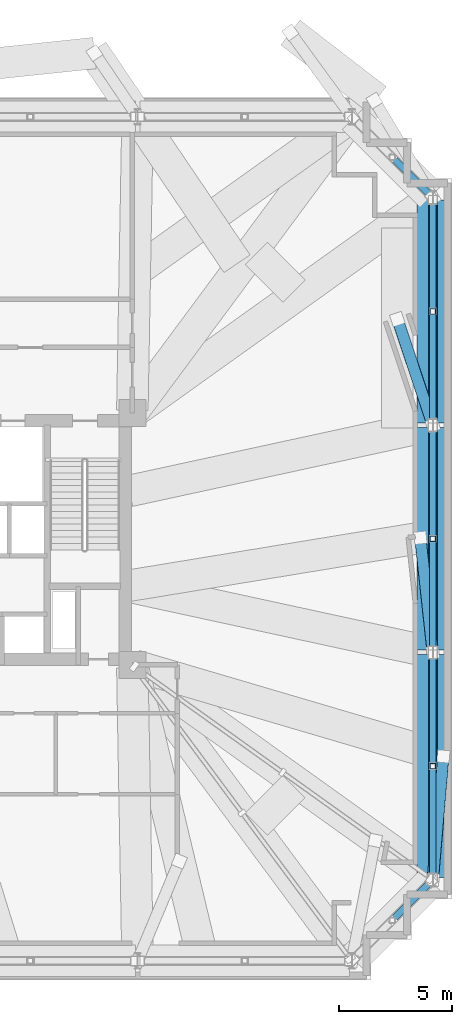
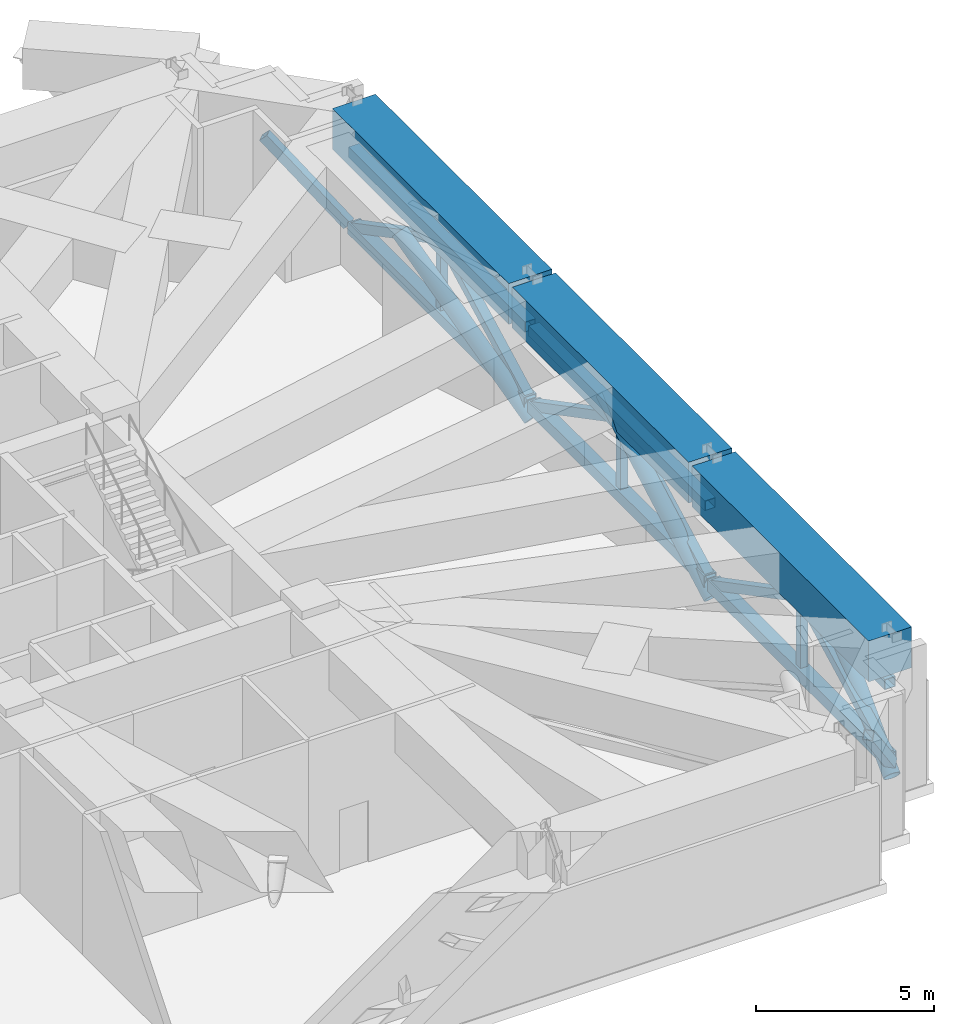
# One storey, part 11 of 20: 20 members, 3 beams.
"""IFC4 building model written with IfcOpenShell, lengths in metres."""

from ifc_helpers import new_model, si_unit, direction, frame, origin, origin_2d, place, context, subcontext, project, spatial, rectangle, hollow_rectangle, hollow_circle, extrude, material, material_profile, profile_set, type_object, element, save


model = new_model("IFC4")

# Units and contexts
model_context = context("Model", 3, precision=1e-05, world=origin(), true_north=direction((0.0, 1.0)))
body_context = subcontext(model_context, "Body", "Model", "MODEL_VIEW")
ifc_project = project(units=[si_unit("LENGTHUNIT", "METRE"), si_unit("AREAUNIT", "SQUARE_METRE"), si_unit("VOLUMEUNIT", "CUBIC_METRE"), si_unit("PLANEANGLEUNIT", "RADIAN"), si_unit("MASSUNIT", "GRAM", prefix="KILO")], contexts=[model_context])

# Site, building, storey
site_placement = place(None, origin())
site = spatial("IfcSite", under=ifc_project, at=site_placement, CompositionType="ELEMENT")
building_placement = place(site_placement, origin())
building = spatial("IfcBuilding", under=site, at=building_placement, Name="Qobustan Lattice House", CompositionType="ELEMENT")
storey_placement = place(building_placement, frame((0.0, 0.0, 73.89990234375)))
storey = spatial("IfcBuildingStorey", under=building, at=storey_placement, Name="L20", CompositionType="ELEMENT", Elevation=73.89990234375)

# Beams
ifc_material_1 = material(Name="Concrete C60/75", Category="concrete")
ifc_material_profile_1 = material_profile(ifc_material_1, rectangle(XDim=1.39990234375, YDim=1.39990234375, at=origin_2d()), Name="RC1400x1400")
ifc_profile_set_1 = profile_set([ifc_material_profile_1], Name="Concrete C60/75")
beam_type = type_object("IfcBeamType", Name="BM-TRG-RC1400", PredefinedType="USERDEFINED", material=ifc_profile_set_1)
beam_1_placement = place(storey_placement, frame((32.14990234375, -15.050048828125, 4.1201171875), z_axis=(0.0, 1.0, 0.0), x_axis=(-1.0, 0.0, 0.0)))
element("IfcBeam", 1, at=beam_1_placement, inside=storey, type_object=beam_type, Name="L20 TT1 lower perimeter transfer girder E1-E2", ObjectType="GIRDER", PredefinedType="USERDEFINED", context=body_context, shape_type="SweptSolid", body=[
    extrude(rectangle(XDim=1.39990234375, YDim=1.39990234375, at=origin_2d()), origin(), (0.0, 0.0, 1.0), 9.900146484375),
])
beam_2_placement = place(storey_placement, frame((32.14990234375, -4.949951171875, 4.1201171875), z_axis=(0.0, 1.0, 0.0), x_axis=(-1.0, 0.0, 0.0)))
element("IfcBeam", 2, at=beam_2_placement, inside=storey, type_object=beam_type, Name="L20 TT1 lower perimeter transfer girder E2-E3", ObjectType="GIRDER", PredefinedType="USERDEFINED", context=body_context, shape_type="SweptSolid", body=[
    extrude(rectangle(XDim=1.39990234375, YDim=1.39990234375, at=origin_2d()), origin(), (0.0, 0.0, 1.0), 9.89990234375),
])
beam_3_placement = place(storey_placement, frame((32.14990234375, 5.14990234375, 4.1201171875), z_axis=(0.0, 1.0, 0.0), x_axis=(-1.0, 0.0, 0.0)))
element("IfcBeam", 3, at=beam_3_placement, inside=storey, type_object=beam_type, Name="L20 TT1 lower perimeter transfer girder E3-E4", ObjectType="GIRDER", PredefinedType="USERDEFINED", context=body_context, shape_type="SweptSolid", body=[
    extrude(rectangle(XDim=1.39990234375, YDim=1.39990234375, at=origin_2d()), origin(), (0.0, 0.0, 1.0), 9.900146484375),
])

# Members
ifc_material_2 = material(Name="Steel S355", Category="steel")
ifc_material_profile_2 = material_profile(ifc_material_2, hollow_rectangle(XDim=0.300048828125, YDim=0.300048828125, WallThickness=0.01611328125, at=origin_2d()), Name="SHS300x300x16")
ifc_profile_set_2 = profile_set([ifc_material_profile_2], Name="Steel S355")
member_type_1 = type_object("IfcMemberType", Name="MEM-BRC-SHS300", PredefinedType="BRACE", material=ifc_profile_set_2)
member_1_placement = place(storey_placement, frame((30.35009765625, -16.949951171875, 3.14013671875), z_axis=(0.485446057806, 0.485446057806, -0.727106766521), x_axis=(-0.707106781187, 0.707106781187, 0.0)))
element("IfcMember", 4, at=member_1_placement, inside=storey, type_object=member_type_1, Name="L20 TT1 belt truss web diagonal S7-E1 B", PredefinedType="BRACE", context=body_context, shape_type="SweptSolid", body=[
    extrude(hollow_rectangle(XDim=0.300048828125, YDim=0.300048828125, WallThickness=0.01611328125, at=origin_2d()), origin(), (0.0, 0.0, 1.0), 3.562255859375),
])
member_2_placement = place(storey_placement, frame((32.14990234375, -15.050048828125, 0.550048828125), z_axis=(0.0, 0.886033314842, 0.463621575199), x_axis=(-1.0, 0.0, 0.0)))
element("IfcMember", 5, at=member_2_placement, inside=storey, type_object=member_type_1, Name="L20 TT1 belt truss web diagonal E1-E2 A", PredefinedType="BRACE", context=body_context, shape_type="SweptSolid", body=[
    extrude(hollow_rectangle(XDim=0.300048828125, YDim=0.300048828125, WallThickness=0.01611328125, at=origin_2d()), origin(), (0.0, 0.0, 1.0), 5.586669921875),
])
member_3_placement = place(storey_placement, frame((32.14990234375, -10.10009765625, 3.14013671875), z_axis=(0.0, 0.886042707559, -0.463603624211), x_axis=(-1.0, 0.0, 0.0)))
element("IfcMember", 6, at=member_3_placement, inside=storey, type_object=member_type_1, Name="L20 TT1 belt truss web diagonal E1-E2 B", PredefinedType="BRACE", context=body_context, shape_type="SweptSolid", body=[
    extrude(hollow_rectangle(XDim=0.300048828125, YDim=0.300048828125, WallThickness=0.01611328125, at=origin_2d()), origin(), (0.0, 0.0, 1.0), 5.5869140625),
])
for number, where, z_axis, x_axis, name in (
    (7, (32.14990234375, -4.949951171875, 0.550048828125), (0.0, 0.886033314842, 0.463621575199), (-1.0, 0.0, 0.0), "L20 TT1 belt truss web diagonal E2-E3 A"),
    (8, (32.14990234375, 0.0, 3.14013671875), (0.0, 0.886033314842, -0.463621575199), (-1.0, 0.0, 0.0), "L20 TT1 belt truss web diagonal E2-E3 B"),
):
    element("IfcMember", number, at=place(storey_placement, frame(where, z_axis=z_axis, x_axis=x_axis)), inside=storey, type_object=member_type_1, Name=name, PredefinedType="BRACE", context=body_context, shape_type="SweptSolid", body=[
        extrude(hollow_rectangle(XDim=0.300048828125, YDim=0.300048828125, WallThickness=0.01611328125, at=origin_2d()), origin(), (0.0, 0.0, 1.0), 5.586669921875),
    ])
member_4_placement = place(storey_placement, frame((32.14990234375, 5.14990234375, 0.550048828125), z_axis=(0.0, 0.886042707559, 0.463603624211), x_axis=(-1.0, 0.0, 0.0)))
element("IfcMember", 9, at=member_4_placement, inside=storey, type_object=member_type_1, Name="L20 TT1 belt truss web diagonal E3-E4 A", PredefinedType="BRACE", context=body_context, shape_type="SweptSolid", body=[
    extrude(hollow_rectangle(XDim=0.300048828125, YDim=0.300048828125, WallThickness=0.01611328125, at=origin_2d()), origin(), (0.0, 0.0, 1.0), 5.5869140625),
])
member_5_placement = place(storey_placement, frame((32.14990234375, 10.10009765625, 3.14013671875), z_axis=(0.0, 0.886033314842, -0.463621575199), x_axis=(-1.0, 0.0, 0.0)))
element("IfcMember", 10, at=member_5_placement, inside=storey, type_object=member_type_1, Name="L20 TT1 belt truss web diagonal E3-E4 B", PredefinedType="BRACE", context=body_context, shape_type="SweptSolid", body=[
    extrude(hollow_rectangle(XDim=0.300048828125, YDim=0.300048828125, WallThickness=0.01611328125, at=origin_2d()), origin(), (0.0, 0.0, 1.0), 5.586669921875),
])
member_6_placement = place(storey_placement, frame((32.079345703125, 15.220703125, 0.550048828125), z_axis=(-0.485446057806, 0.485446057806, 0.727106766521), x_axis=(-0.707106781187, -0.707106781187, 0.0)))
element("IfcMember", 11, at=member_6_placement, inside=storey, type_object=member_type_1, Name="L20 TT1 belt truss web diagonal E4-N1 A", PredefinedType="BRACE", context=body_context, shape_type="SweptSolid", body=[
    extrude(hollow_rectangle(XDim=0.300048828125, YDim=0.300048828125, WallThickness=0.01611328125, at=origin_2d()), origin(), (0.0, 0.0, 1.0), 3.562255859375),
])
ifc_material_3 = material(Name="Steel S355", Category="steel")
ifc_material_profile_3 = material_profile(ifc_material_3, hollow_rectangle(XDim=0.35009765625, YDim=0.35009765625, WallThickness=0.01611328125, at=origin_2d()), Name="SHS350x350x16")
ifc_profile_set_3 = profile_set([ifc_material_profile_3], Name="Steel S355")
member_type_2 = type_object("IfcMemberType", Name="MEM-CHD-SHS350", PredefinedType="CHORD", material=ifc_profile_set_3)
member_7_placement = place(storey_placement, frame((32.14990234375, -15.050048828125, 3.14013671875), z_axis=(0.0, 1.0, 0.0), x_axis=(-1.0, 0.0, 0.0)))
element("IfcMember", 12, at=member_7_placement, inside=storey, type_object=member_type_2, Name="L20 TT1 belt truss top chord E1-E2", PredefinedType="CHORD", context=body_context, shape_type="SweptSolid", body=[
    extrude(hollow_rectangle(XDim=0.35009765625, YDim=0.35009765625, WallThickness=0.01611328125, at=origin_2d()), origin(), (0.0, 0.0, 1.0), 9.900146484375),
])
member_8_placement = place(storey_placement, frame((32.14990234375, -4.949951171875, 3.14013671875), z_axis=(0.0, 1.0, 0.0), x_axis=(-1.0, 0.0, 0.0)))
element("IfcMember", 13, at=member_8_placement, inside=storey, type_object=member_type_2, Name="L20 TT1 belt truss top chord E2-E3", PredefinedType="CHORD", context=body_context, shape_type="SweptSolid", body=[
    extrude(hollow_rectangle(XDim=0.35009765625, YDim=0.35009765625, WallThickness=0.01611328125, at=origin_2d()), origin(), (0.0, 0.0, 1.0), 9.89990234375),
])
member_9_placement = place(storey_placement, frame((32.14990234375, 5.14990234375, 3.14013671875), z_axis=(0.0, 1.0, 0.0), x_axis=(-1.0, 0.0, 0.0)))
element("IfcMember", 14, at=member_9_placement, inside=storey, type_object=member_type_2, Name="L20 TT1 belt truss top chord E3-E4", PredefinedType="CHORD", context=body_context, shape_type="SweptSolid", body=[
    extrude(hollow_rectangle(XDim=0.35009765625, YDim=0.35009765625, WallThickness=0.01611328125, at=origin_2d()), origin(), (0.0, 0.0, 1.0), 9.900146484375),
])
ifc_material_4 = material(Name="Steel S355", Category="steel")
ifc_material_profile_4 = material_profile(ifc_material_4, hollow_rectangle(XDim=0.39990234375, YDim=0.39990234375, WallThickness=0.02001953125, at=origin_2d()), Name="SHS400x400x20")
ifc_profile_set_4 = profile_set([ifc_material_profile_4], Name="Steel S355")
member_type_3 = type_object("IfcMemberType", Name="MEM-CHD-SHS400", PredefinedType="CHORD", material=ifc_profile_set_4)
member_10_placement = place(storey_placement, frame((32.14990234375, -15.050048828125, 0.550048828125), z_axis=(0.0, 1.0, 0.0), x_axis=(-1.0, 0.0, 0.0)))
element("IfcMember", 15, at=member_10_placement, inside=storey, type_object=member_type_3, Name="L20 TT1 belt truss bottom chord E1-E2", PredefinedType="CHORD", context=body_context, shape_type="SweptSolid", body=[
    extrude(hollow_rectangle(XDim=0.39990234375, YDim=0.39990234375, WallThickness=0.02001953125, at=origin_2d()), origin(), (0.0, 0.0, 1.0), 9.900146484375),
])
member_11_placement = place(storey_placement, frame((32.14990234375, -4.949951171875, 0.550048828125), z_axis=(0.0, 1.0, 0.0), x_axis=(-1.0, 0.0, 0.0)))
element("IfcMember", 16, at=member_11_placement, inside=storey, type_object=member_type_3, Name="L20 TT1 belt truss bottom chord E2-E3", PredefinedType="CHORD", context=body_context, shape_type="SweptSolid", body=[
    extrude(hollow_rectangle(XDim=0.39990234375, YDim=0.39990234375, WallThickness=0.02001953125, at=origin_2d()), origin(), (0.0, 0.0, 1.0), 9.89990234375),
])
member_12_placement = place(storey_placement, frame((32.14990234375, 5.14990234375, 0.550048828125), z_axis=(0.0, 1.0, 0.0), x_axis=(-1.0, 0.0, 0.0)))
element("IfcMember", 17, at=member_12_placement, inside=storey, type_object=member_type_3, Name="L20 TT1 belt truss bottom chord E3-E4", PredefinedType="CHORD", context=body_context, shape_type="SweptSolid", body=[
    extrude(hollow_rectangle(XDim=0.39990234375, YDim=0.39990234375, WallThickness=0.02001953125, at=origin_2d()), origin(), (0.0, 0.0, 1.0), 9.900146484375),
])
ifc_material_5 = material(Name="Steel S355", Category="steel")
ifc_material_profile_5 = material_profile(ifc_material_5, hollow_rectangle(XDim=0.25, YDim=0.25, WallThickness=0.012451171875, at=origin_2d()), Name="SHS250x250x12.5")
ifc_profile_set_5 = profile_set([ifc_material_profile_5], Name="Steel S355")
member_type_4 = type_object("IfcMemberType", Name="MEM-PST-SHS250", PredefinedType="POST", material=ifc_profile_set_5)
for number, where, z_axis, x_axis, name in (
    (18, (32.14990234375, -10.10009765625, 0.550048828125), (0.0, 0.0, 1.0), (1.0, 0.0, 0.0), "L20 TT1 belt truss vertical post E1-E2"),
    (19, (32.14990234375, 0.0, 0.550048828125), (0.0, 0.0, 1.0), (1.0, 0.0, 0.0), "L20 TT1 belt truss vertical post E2-E3"),
    (20, (32.14990234375, 10.10009765625, 0.550048828125), (0.0, 0.0, 1.0), (1.0, 0.0, 0.0), "L20 TT1 belt truss vertical post E3-E4"),
):
    element("IfcMember", number, at=place(storey_placement, frame(where, z_axis=z_axis, x_axis=x_axis)), inside=storey, type_object=member_type_4, Name=name, PredefinedType="POST", context=body_context, shape_type="SweptSolid", body=[
        extrude(hollow_rectangle(XDim=0.25, YDim=0.25, WallThickness=0.012451171875, at=origin_2d()), origin(), (0.0, 0.0, 1.0), 2.590087890625),
    ])
ifc_material_6 = material(Name="Steel S355", Category="steel")
ifc_material_profile_6 = material_profile(ifc_material_6, hollow_circle(Radius=0.25390625, WallThickness=0.02001953125, at=origin_2d()), Name="CHS508x20")
ifc_profile_set_6 = profile_set([ifc_material_profile_6], Name="Steel S355")
member_type_5 = type_object("IfcMemberType", Name="MEM-STR-CHS508", PredefinedType="STRUT", material=ifc_profile_set_6)
member_13_placement = place(storey_placement, frame((32.14990234375, -15.14990234375, 0.01513671875), z_axis=(0.068340318294, 0.798453984279, 0.598164555858), x_axis=(-0.996357110252, 0.085279005917, 0.0)))
element("IfcMember", 21, at=member_13_placement, inside=storey, type_object=member_type_5, Name="L20 TT1 column transfer strut E1", PredefinedType="STRUT", context=body_context, shape_type="SweptSolid", body=[
    extrude(hollow_circle(Radius=0.25390625, WallThickness=0.02001953125, at=origin_2d()), origin(), (0.0, 0.0, 1.0), 6.862548828125),
])
member_14_placement = place(storey_placement, frame((32.14990234375, -5.050048828125, 0.01513671875), z_axis=(-0.084089686193, 0.7758119655, 0.625335684943), x_axis=(-0.994177140263, -0.107758126277, 0.0)))
element("IfcMember", 22, at=member_14_placement, inside=storey, type_object=member_type_5, Name="L20 TT1 column transfer strut E2", PredefinedType="STRUT", context=body_context, shape_type="SweptSolid", body=[
    extrude(hollow_circle(Radius=0.25390625, WallThickness=0.02001953125, at=origin_2d()), origin(), (0.0, 0.0, 1.0), 6.564453125),
])
member_15_placement = place(storey_placement, frame((32.14990234375, 5.050048828125, 0.01513671875), z_axis=(-0.244229776497, 0.730755812167, 0.637454123257), x_axis=(-0.948432052334, -0.316980507452, 0.0)))
element("IfcMember", 23, at=member_15_placement, inside=storey, type_object=member_type_5, Name="L20 TT1 column transfer strut E3", PredefinedType="STRUT", context=body_context, shape_type="SweptSolid", body=[
    extrude(hollow_circle(Radius=0.25390625, WallThickness=0.02001953125, at=origin_2d()), origin(), (0.0, 0.0, 1.0), 6.439697265625),
])

save(model, "model.ifc")
